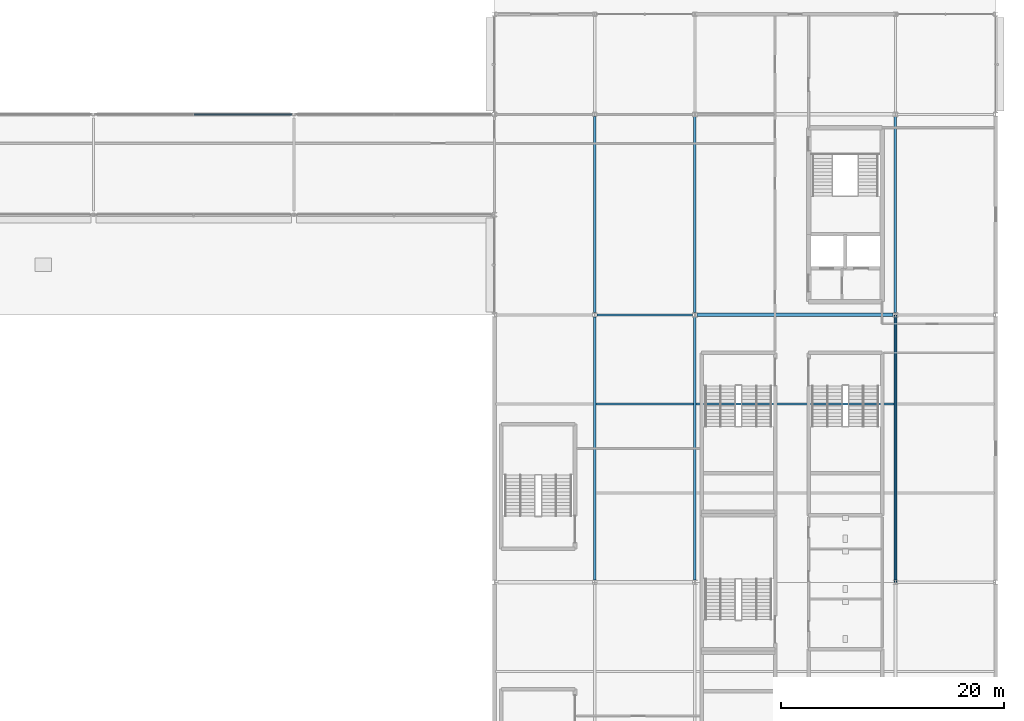
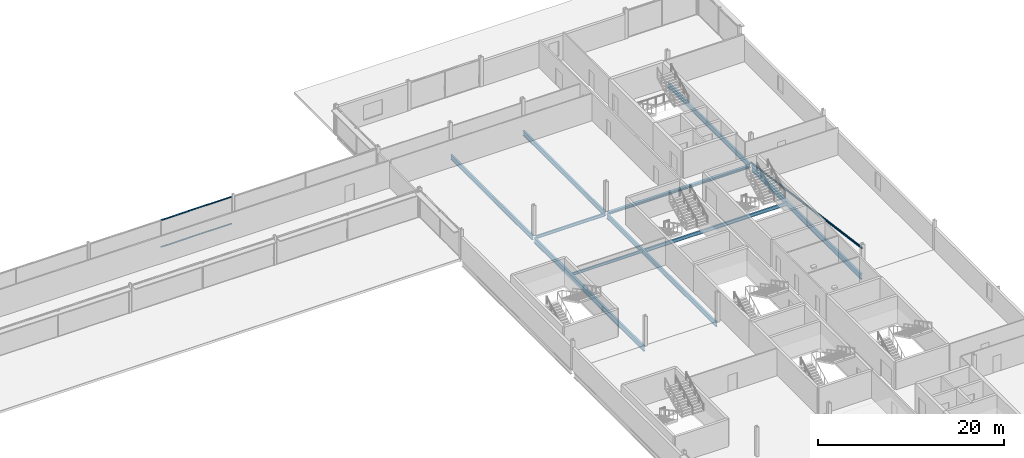
# One storey, part 52 of 105: 10 beams, 3 members, 1 element without a shape of its own.
"""IFC4 building model written with IfcOpenShell, lengths in metres."""

from ifc_helpers import new_model, si_unit, direction, frame, origin, origin_2d, place, context, subcontext, project, spatial, rectangle, hollow_circle, i_section, extrude, material, layer, layer_set, material_profile, profile_set, type_object, element, aggregate, save


model = new_model("IFC4")

# Units and contexts
model_context = context("Model", 3, precision=1e-05, world=origin(), true_north=direction((0.0, 1.0)))
body_context = subcontext(model_context, "Body", "Model", "MODEL_VIEW")
ifc_project = project(units=[si_unit("LENGTHUNIT", "METRE"), si_unit("AREAUNIT", "SQUARE_METRE"), si_unit("VOLUMEUNIT", "CUBIC_METRE"), si_unit("PLANEANGLEUNIT", "RADIAN"), si_unit("MASSUNIT", "GRAM", prefix="KILO")], contexts=[model_context])

# Site, building, storey
site_placement = place(None, origin())
site = spatial("IfcSite", under=ifc_project, at=site_placement, CompositionType="ELEMENT")
building_placement = place(site_placement, origin())
building = spatial("IfcBuilding", under=site, at=building_placement, Name="Kisiwana Market Hall", CompositionType="ELEMENT")
storey_placement = place(building_placement, frame((0.0, 0.0, 21.60009765625)))
storey = spatial("IfcBuildingStorey", under=building, at=storey_placement, Name="L04", CompositionType="ELEMENT", Elevation=21.60009765625)

# Beams
ifc_material_1 = material(Name="Steel S355", Category="steel")
ifc_material_profile_1 = material_profile(ifc_material_1, i_section(OverallWidth=0.22900390625, OverallDepth=0.6123046875, WebThickness=0.011962890625, FlangeThickness=0.01953125, at=origin_2d()), Name="UB 610x229x125")
ifc_profile_set_1 = profile_set([ifc_material_profile_1], Name="Steel S355")
beam_type_1 = type_object("IfcBeamType", Name="BM-GIRD-UB610H", PredefinedType="BEAM", material=ifc_profile_set_1)
beam_1_placement = place(storey_placement, frame((171.0, 60.2041015625, -0.55126953125), z_axis=(0.0, 1.0, 0.0), x_axis=(-1.0, 0.0, 0.0)))
element("IfcBeam", 1, at=beam_1_placement, inside=storey, type_object=beam_type_1, Name="Floor beam B-1510", PredefinedType="BEAM", context=body_context, shape_type="SweptSolid", body=[
    extrude(i_section(OverallWidth=0.22900390625, OverallDepth=0.6123046875, WebThickness=0.011962890625, FlangeThickness=0.01953125, at=origin_2d()), origin(), (0.0, 0.0, 1.0), 23.591796875),
])
for number, where, z_axis, x_axis, name in (
    (2, (162.0, 84.2041015625, -0.55126953125), (0.0, 1.0, 0.0), (-1.0, 0.0, 0.0), "Primary girder B-1375"),
    (3, (171.0, 84.2041015625, -0.55126953125), (0.0, 1.0, 0.0), (-1.0, 0.0, 0.0), "Primary girder B-1379"),
    (4, (189.0, 84.2041015625, -0.55126953125), (0.0, 1.0, 0.0), (-1.0, 0.0, 0.0), "Primary girder B-1385"),
):
    element("IfcBeam", number, at=place(storey_placement, frame(where, z_axis=z_axis, x_axis=x_axis)), inside=storey, type_object=beam_type_1, Name=name, PredefinedType="BEAM", context=body_context, shape_type="SweptSolid", body=[
        extrude(i_section(OverallWidth=0.22900390625, OverallDepth=0.6123046875, WebThickness=0.011962890625, FlangeThickness=0.01953125, at=origin_2d()), origin(), (0.0, 0.0, 1.0), 17.591796875),
    ])
ifc_material_2 = material(Name="Steel S355", Category="steel")
ifc_material_profile_2 = material_profile(ifc_material_2, i_section(OverallWidth=0.253662109375, OverallDepth=0.68359375, WebThickness=0.012451171875, FlangeThickness=0.01904296875, at=origin_2d()), Name="UB 686x254x140")
ifc_profile_set_2 = profile_set([ifc_material_profile_2], Name="Steel S355")
beam_type_2 = type_object("IfcBeamType", Name="BM-GIRD-UB686", PredefinedType="BEAM", material=ifc_profile_set_2)
for number, where, z_axis, x_axis, name in (
    (5, (162.0, 60.2041015625, -0.5869140625), (0.0, 1.0, 0.0), (-1.0, 0.0, 0.0), "Primary girder B-1374"),
    (6, (189.0, 60.2041015625, -0.5869140625), (0.0, 1.0, 0.0), (-1.0, 0.0, 0.0), "Primary girder B-1384"),
):
    element("IfcBeam", number, at=place(storey_placement, frame(where, z_axis=z_axis, x_axis=x_axis)), inside=storey, type_object=beam_type_2, Name=name, PredefinedType="BEAM", context=body_context, shape_type="SweptSolid", body=[
        extrude(i_section(OverallWidth=0.253662109375, OverallDepth=0.68359375, WebThickness=0.012451171875, FlangeThickness=0.01904296875, at=origin_2d()), origin(), (0.0, 0.0, 1.0), 23.591796875),
    ])
ifc_material_3 = material(Name="Steel S355", Category="steel")
ifc_material_profile_3 = material_profile(ifc_material_3, i_section(OverallWidth=0.177978515625, OverallDepth=0.406494140625, WebThickness=0.0078125, FlangeThickness=0.0126953125, FilletRadius=0.01025390625, at=origin_2d()), Name="UB 406x178x60")
ifc_profile_set_3 = profile_set([ifc_material_profile_3], Name="Steel S355")
beam_type_3 = type_object("IfcBeamType", Name="BM-JOIST-UB060", PredefinedType="JOIST", material=ifc_profile_set_3)
beam_2_placement = place(storey_placement, frame((162.198974609375, 84.0, -0.4482421875), z_axis=(1.0, 0.0, 0.0), x_axis=(0.0, 1.0, 0.0)))
element("IfcBeam", 7, at=beam_2_placement, inside=storey, type_object=beam_type_3, Name="Floor beam B-1458", PredefinedType="JOIST", context=body_context, shape_type="SweptSolid", body=[
    extrude(i_section(OverallWidth=0.177978515625, OverallDepth=0.406494140625, WebThickness=0.0078125, FlangeThickness=0.0126953125, FilletRadius=0.01025390625, at=origin_2d()), origin(), (0.0, 0.0, 1.0), 8.60205078125),
])
ifc_material_4 = material(Name="Steel S355", Category="steel")
ifc_material_profile_4 = material_profile(ifc_material_4, i_section(OverallWidth=0.17138671875, OverallDepth=0.35498046875, WebThickness=0.00732421875, FlangeThickness=0.011474609375, at=origin_2d()), Name="UB 356x171x51")
ifc_profile_set_4 = profile_set([ifc_material_profile_4], Name="Steel S355")
beam_type_4 = type_object("IfcBeamType", Name="BM-JOIST-UB356", PredefinedType="JOIST", material=ifc_profile_set_4)
beam_3_placement = place(storey_placement, frame((162.125732421875, 76.0, -0.422607421875), z_axis=(1.0, 0.0, 0.0), x_axis=(0.0, 1.0, 0.0)))
element("IfcBeam", 8, at=beam_3_placement, inside=storey, type_object=beam_type_4, Name="Secondary floor joist B-1412", PredefinedType="JOIST", context=body_context, shape_type="SweptSolid", body=[
    extrude(i_section(OverallWidth=0.17138671875, OverallDepth=0.35498046875, WebThickness=0.00732421875, FlangeThickness=0.011474609375, at=origin_2d()), origin(), (0.0, 0.0, 1.0), 8.7607421875),
])
ifc_material_5 = material(Name="Steel S355", Category="steel")
ifc_material_profile_5 = material_profile(ifc_material_5, i_section(OverallWidth=0.18994140625, OverallDepth=0.453369140625, WebThickness=0.008544921875, FlangeThickness=0.0126953125, at=origin_2d()), Name="UB 457x191x67")
ifc_profile_set_5 = profile_set([ifc_material_profile_5], Name="Steel S355")
beam_type_5 = type_object("IfcBeamType", Name="BM-JOIST-UB457", PredefinedType="JOIST", material=ifc_profile_set_5)
beam_4_placement = place(storey_placement, frame((171.113525390625, 76.0, -0.4716796875), z_axis=(1.0, 0.0, 0.0), x_axis=(0.0, 1.0, 0.0)))
element("IfcBeam", 9, at=beam_4_placement, inside=storey, type_object=beam_type_5, Name="Secondary floor joist B-1413", PredefinedType="JOIST", context=body_context, shape_type="SweptSolid", body=[
    extrude(i_section(OverallWidth=0.18994140625, OverallDepth=0.453369140625, WebThickness=0.008544921875, FlangeThickness=0.0126953125, at=origin_2d()), origin(), (0.0, 0.0, 1.0), 17.7607421875),
])
ifc_material_6 = material(Name="Steel S355", Category="steel")
ifc_material_profile_6 = material_profile(ifc_material_6, i_section(OverallWidth=0.314453125, OverallDepth=0.33984375, WebThickness=0.01904296875, FlangeThickness=0.031494140625, at=origin_2d()), Name="UC 305x305x198")
ifc_profile_set_6 = profile_set([ifc_material_profile_6], Name="Steel S355")
beam_type_6 = type_object("IfcBeamType", Name="BM-SKYBR-CHORD", PredefinedType="BEAM", material=ifc_profile_set_6)
beam_5_placement = place(storey_placement, frame((171.198974609375, 84.0, -0.4150390625), z_axis=(1.0, 0.0, 0.0), x_axis=(0.0, 1.0, 0.0)))
element("IfcBeam", 10, at=beam_5_placement, inside=storey, type_object=beam_type_6, Name="Floor beam B-1459", PredefinedType="BEAM", context=body_context, shape_type="SweptSolid", body=[
    extrude(i_section(OverallWidth=0.314453125, OverallDepth=0.33984375, WebThickness=0.01904296875, FlangeThickness=0.031494140625, at=origin_2d()), origin(), (0.0, 0.0, 1.0), 17.60205078125),
])

# Curtain wall, members
ifc_material_7 = material(Name="Double-glazed solar-control low-E IGU", Category="glass")
ifc_layer = layer(ifc_material_7, 0.159912109375)
ifc_layer_set = layer_set([ifc_layer], Name="CW-ZNA-EW-8200")
curtain_wall_type = type_object("IfcCurtainWallType", Name="CW-ZNA-EW-8200", PredefinedType="USERDEFINED", material=ifc_layer_set)
curtain_wall_placement = place(storey_placement, origin())
curtain_wall = element("IfcCurtainWall", 11, at=curtain_wall_placement, inside=storey, type_object=curtain_wall_type, Name="Unitised curtain wall CW-114 (L04)", ObjectType="UNITISED CURTAIN WALL", PredefinedType="USERDEFINED")
ifc_material_8 = material(Name="Aluminium alloy 6063-T6", Category="aluminium")
ifc_material_profile_7 = material_profile(ifc_material_8, rectangle(XDim=0.1201171875, YDim=0.06005859375, at=origin_2d()), Name="ALU TRANSOM 60x120")
ifc_profile_set_7 = profile_set([ifc_material_profile_7], Name="Aluminium alloy 6063-T6")
member_type_1 = type_object("IfcMemberType", Name="CW-TRAN-60x120", PredefinedType="USERDEFINED", material=ifc_profile_set_7)
member_1_placement = place(storey_placement, frame((126.030029296875, 102.0, 0.02978515625), z_axis=(1.0, 0.0, 0.0), x_axis=(0.0, 1.0, 0.0)))
member_1 = element("IfcMember", 12, at=member_1_placement, type_object=member_type_1, Name="CW-114 transom 2.1", ObjectType="TRANSOM", PredefinedType="USERDEFINED", context=body_context, shape_type="SweptSolid", body=[
    extrude(rectangle(XDim=0.1201171875, YDim=0.06005859375, at=origin_2d()), origin(), (0.0, 0.0, 1.0), 8.784912109375),
])
member_2_placement = place(storey_placement, frame((126.030029296875, 102.0, 3.554931640625), z_axis=(1.0, 0.0, 0.0), x_axis=(0.0, 1.0, 0.0)))
member_2 = element("IfcMember", 13, at=member_2_placement, type_object=member_type_1, Name="CW-114 transom 2.2", ObjectType="TRANSOM", PredefinedType="USERDEFINED", context=body_context, shape_type="SweptSolid", body=[
    extrude(rectangle(XDim=0.1201171875, YDim=0.06005859375, at=origin_2d()), origin(), (0.0, 0.0, 1.0), 8.784912109375),
])
aggregate(curtain_wall, [member_1, member_2])

# Member
ifc_material_9 = material(Name="Steel S355", Category="steel")
ifc_material_profile_8 = material_profile(ifc_material_9, hollow_circle(Radius=0.122314453125, WallThickness=0.012451171875, at=origin_2d()), Name="CHS 244.5x12.5")
ifc_profile_set_8 = profile_set([ifc_material_profile_8], Name="Steel S355")
member_type_2 = type_object("IfcMemberType", Name="MB-CBF-CHS244", PredefinedType="BRACE", material=ifc_profile_set_8)
member_3_placement = place(storey_placement, frame((189.0, 84.0, 0.0), z_axis=(0.0, -0.990762704668, 0.13560701692), x_axis=(1.0, 0.0, 0.0)))
element("IfcMember", 14, at=member_3_placement, inside=storey, type_object=member_type_2, Name="CBF-E-S diagonal brace (L04) M-0028", PredefinedType="BRACE", context=body_context, shape_type="SweptSolid", body=[
    extrude(hollow_circle(Radius=0.122314453125, WallThickness=0.012451171875, at=origin_2d()), origin(), (0.0, 0.0, 1.0), 24.223876953125),
])

save(model, "model.ifc")
